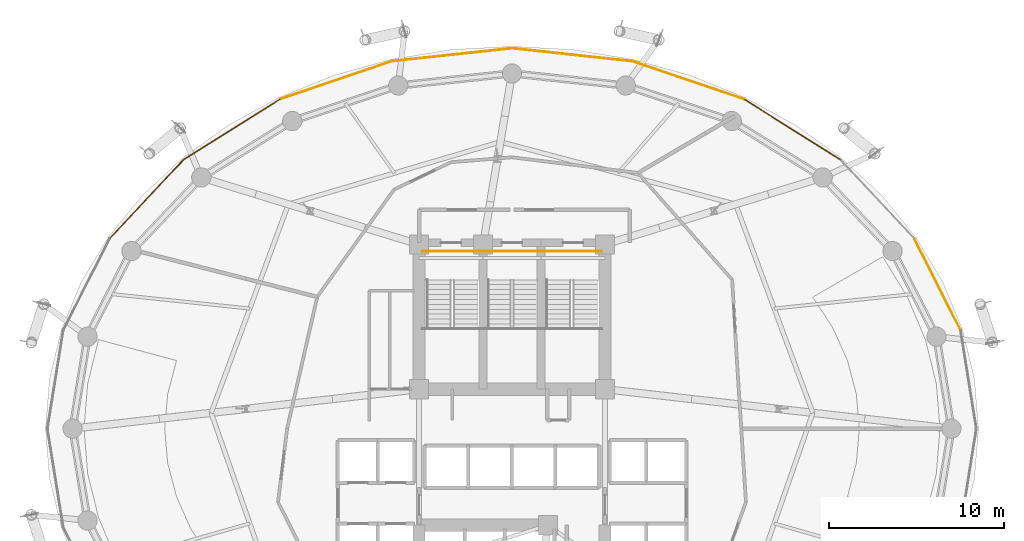
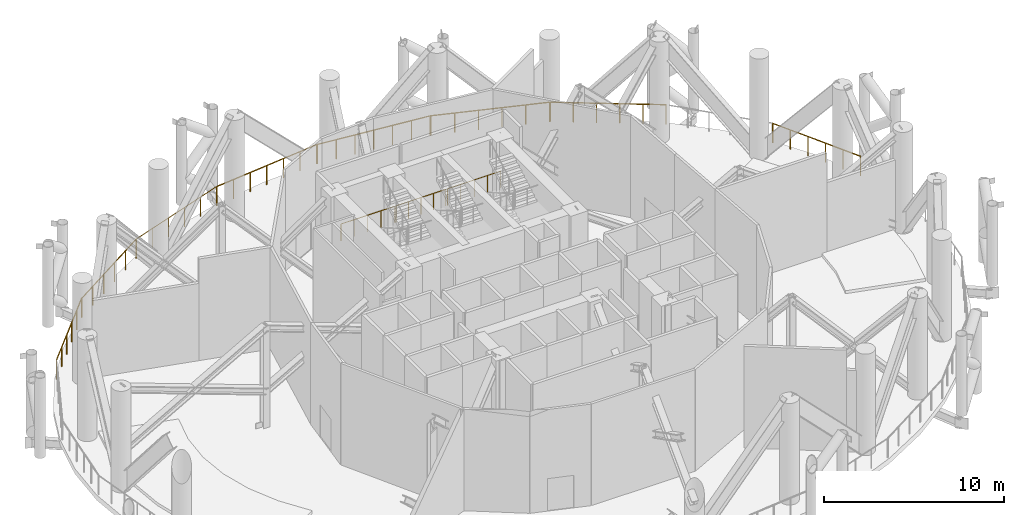
# One storey, part 18 of 19: 11 railings.
"""IFC4 building model written with IfcOpenShell, lengths in metres."""

import ifcopenshell
import ifcopenshell.guid

model = None  # the IFC model being written
_history = None  # IfcOwnerHistory: only IFC2X3 demands one
_inside = {}  # id of a spatial element -> (the spatial element, [elements in it])
_under = {}  # id of a project, library or spatial element -> (it, [spatial elements below it])
_declared = {}  # id of a project -> (the project, [libraries it declares])
_typed = {}  # id of a type object -> (the type object, [elements of that type])
_made_of = {}  # id of a material, layer set ... -> (it, [elements and type objects made of it])


def new_model(schema):
    """Start an empty IFC model of exactly this schema.

    Asked for "IFC4X3", IfcOpenShell would pick the latest addendum, in which some entities
    have other attributes; the version numbers below select the first issue.
    IFC2X3 requires an IfcOwnerHistory on every rooted entity: one is made here for all.
    """
    global model, _history
    if schema == "IFC4X3":
        model = ifcopenshell.file(schema_version=(4, 3, 0, 0))
    else:
        model = ifcopenshell.file(schema=schema)
    _inside.clear()
    _under.clear()
    _declared.clear()
    _typed.clear()
    _made_of.clear()
    _history = None
    if model.schema == "IFC2X3":
        org = make("IfcOrganization", Name="unknown")
        user = make(
            "IfcPersonAndOrganization",
            ThePerson=make("IfcPerson", FamilyName="unknown"),
            TheOrganization=org,
        )
        app = make(
            "IfcApplication",
            ApplicationDeveloper=org,
            Version="unknown",
            ApplicationFullName="unknown",
            ApplicationIdentifier="unknown",
        )
        _history = make(
            "IfcOwnerHistory",
            OwningUser=user,
            OwningApplication=app,
            ChangeAction="ADDED",
            CreationDate=0,
        )
    return model


def make(cls, **values):
    """One entity of the class cls with the attributes given. An attribute that is None is left unset."""
    return model.create_entity(
        cls, **{name: value for name, value in values.items() if value is not None}
    )


def rooted(cls, **values):
    """An entity with a GlobalId (a new one), such as an element, a storey or a relation."""
    return make(cls, GlobalId=ifcopenshell.guid.new(), OwnerHistory=_history, **values)


def si_unit(unit_type, name, prefix=None):
    """IfcSIUnit, for example si_unit("LENGTHUNIT", "METRE", prefix="MILLI")."""
    return make("IfcSIUnit", UnitType=unit_type, Prefix=prefix, Name=name)


def assignment(units):
    """IfcUnitAssignment: the units of a project."""
    return None if units is None else make("IfcUnitAssignment", Units=units)


def point(xyz):
    """IfcCartesianPoint."""
    return None if xyz is None else make("IfcCartesianPoint", Coordinates=xyz)


def direction(xyz):
    """IfcDirection."""
    return None if xyz is None else make("IfcDirection", DirectionRatios=xyz)


def frame(location, z_axis=None, x_axis=None):
    """IfcAxis2Placement3D, a coordinate frame: its origin and axes. An axis left out is left unset."""
    return make(
        "IfcAxis2Placement3D",
        Location=point(location),
        Axis=direction(z_axis),
        RefDirection=direction(x_axis),
    )


def origin():
    """The frame at (0, 0, 0) with its axes left unset."""
    return frame((0.0, 0.0, 0.0))


def place(relative_to, where):
    """IfcLocalPlacement: puts the frame where relative to a parent placement (None: the world)."""
    return make(
        "IfcLocalPlacement", PlacementRelTo=relative_to, RelativePlacement=where
    )


def context(
    kind, dimensions, precision=None, world=None, true_north=None, identifier=None
):
    """IfcGeometricRepresentationContext, for example the 3D "Model" context."""
    return make(
        "IfcGeometricRepresentationContext",
        ContextIdentifier=identifier,
        ContextType=kind,
        CoordinateSpaceDimension=dimensions,
        Precision=precision,
        WorldCoordinateSystem=world,
        TrueNorth=true_north,
    )


def subcontext(parent, identifier, kind, view, scale=None):
    """IfcGeometricRepresentationSubContext, for example "Body" below "Model"."""
    return make(
        "IfcGeometricRepresentationSubContext",
        ContextIdentifier=identifier,
        ContextType=kind,
        ParentContext=parent,
        TargetScale=scale,
        TargetView=view,
    )


def project(units=None, contexts=None):
    """IfcProject with its units and contexts."""
    return rooted(
        "IfcProject",
        Name="project",
        RepresentationContexts=contexts,
        UnitsInContext=assignment(units),
    )


def spatial(cls, under=None, at=None, **own):
    """A site, building, storey or space (cls), placed at a placement, below another one or the project."""
    s = rooted(cls, ObjectPlacement=at, **own)
    if under is not None:
        _under.setdefault(under.id(), (under, []))[1].append(s)
    return s


def polyline(points):
    """IfcPolyline through the points."""
    return make("IfcPolyline", Points=[point(p) for p in points])


def outline(outer, holes=None, kind="AREA"):
    """IfcArbitraryClosedProfileDef: a profile drawn as a closed curve; with holes, ...WithVoids."""
    if holes is None:
        return make("IfcArbitraryClosedProfileDef", ProfileType=kind, OuterCurve=outer)
    return make(
        "IfcArbitraryProfileDefWithVoids",
        ProfileType=kind,
        OuterCurve=outer,
        InnerCurves=holes,
    )


def extrude(swept, where, along, depth):
    """IfcExtrudedAreaSolid: the profile swept, set in the frame where, extruded along a direction by depth."""
    return make(
        "IfcExtrudedAreaSolid",
        SweptArea=swept,
        Position=where,
        ExtrudedDirection=direction(along),
        Depth=depth,
    )


def shape(context_of_items, identifier, shape_type, items):
    """IfcShapeRepresentation: the items that make up one representation, for example the "Body"."""
    return make(
        "IfcShapeRepresentation",
        ContextOfItems=context_of_items,
        RepresentationIdentifier=identifier,
        RepresentationType=shape_type,
        Items=items,
    )


def material(Name=None, Category=None):
    """IfcMaterial."""
    return make("IfcMaterial", Name=Name, Category=Category)


def made_of(thing, what):
    """Note that an element or type object is made of a material, layer set ...; save() writes the relation."""
    if what is not None:
        _made_of.setdefault(what.id(), (what, []))[1].append(thing)
    return thing


def type_object(cls, material=None, **own):
    """A type object (cls), such as IfcWallType, which elements share."""
    return made_of(rooted(cls, **own), material)


def element(
    cls,
    number,
    at=None,
    inside=None,
    cuts=None,
    type_object=None,
    material=None,
    context=None,
    identifier="Body",
    shape_type=None,
    held_by="IfcProductDefinitionShape",
    body=None,
    shapes=None,
    **own,
):
    """One element of the class cls, such as IfcWall. Its Tag is "e" and its number.

    at: its placement. inside: the storey or other place that contains it. cuts: it is an
    opening in that element (IfcRelVoidsElement). A single representation is given by context,
    identifier, shape_type and body (its items); several are given by shapes. held_by: the class
    of the entity that holds the representations. save() writes the other relations.
    """
    e = rooted(cls, Tag="e%d" % number, ObjectPlacement=at, **own)
    if body is not None:
        shapes = [shape(context, identifier, shape_type, body)]
    if shapes is not None:
        e.Representation = make(held_by, Representations=shapes)
    if inside is not None:
        _inside.setdefault(inside.id(), (inside, []))[1].append(e)
    if cuts is not None:
        rooted(
            "IfcRelVoidsElement", RelatingBuildingElement=cuts, RelatedOpeningElement=e
        )
    if type_object is not None:
        _typed.setdefault(type_object.id(), (type_object, []))[1].append(e)
    return made_of(e, material)


def aggregate(whole, parts):
    """IfcRelAggregates: a whole, such as a stair, and the parts it consists of."""
    return rooted("IfcRelAggregates", RelatingObject=whole, RelatedObjects=parts)


def save(model, path):
    """Write the relations noted so far, then the file.

    IfcRelAggregates (storeys below a building ...), IfcRelContainedInSpatialStructure (elements
    in a storey), IfcRelDefinesByType, IfcRelAssociatesMaterial and IfcRelDeclares: one each for
    every whole, place, type object, material and project.
    """
    for whole, parts in _under.values():
        aggregate(whole, parts)
    for where, things in _inside.values():
        rooted(
            "IfcRelContainedInSpatialStructure",
            RelatedElements=things,
            RelatingStructure=where,
        )
    for kind, things in _typed.values():
        rooted("IfcRelDefinesByType", RelatedObjects=things, RelatingType=kind)
    for what, things in _made_of.values():
        rooted("IfcRelAssociatesMaterial", RelatedObjects=things, RelatingMaterial=what)
    for by, libraries in _declared.values():
        rooted("IfcRelDeclares", RelatingContext=by, RelatedDefinitions=libraries)
    model.write(path)


model = new_model("IFC4")

# Units and contexts
model_context = context("Model", 3, precision=1e-05, world=origin(), true_north=direction((0.0, 1.0)))
body_context = subcontext(model_context, "Body", "Model", "MODEL_VIEW")
ifc_project = project(units=[si_unit("LENGTHUNIT", "METRE"), si_unit("AREAUNIT", "SQUARE_METRE"), si_unit("VOLUMEUNIT", "CUBIC_METRE"), si_unit("PLANEANGLEUNIT", "RADIAN"), si_unit("MASSUNIT", "GRAM", prefix="KILO")], contexts=[model_context])

# Site, building, storey
site_placement = place(None, origin())
site = spatial("IfcSite", under=ifc_project, at=site_placement, CompositionType="ELEMENT")
building_placement = place(site_placement, origin())
building = spatial("IfcBuilding", under=site, at=building_placement, Name="Nuhasar Tower", CompositionType="ELEMENT")
storey_placement = place(building_placement, frame((0.0, 0.0, 106.050048828125)))
storey = spatial("IfcBuildingStorey", under=building, at=storey_placement, Name="L25", CompositionType="ELEMENT", Elevation=106.050048828125)

# Railings
ifc_material_1 = material(Name="Steel S355", Category="steel")
railing_type_1 = type_object("IfcRailingType", Name="RLG-STAIR-GUARD-1150", PredefinedType="GUARDRAIL", material=ifc_material_1)
railing_1_placement = place(storey_placement, frame((33.8798828125, 36.909912109375, 3.599853515625)))
element("IfcRailing", 1, at=railing_1_placement, inside=storey, type_object=railing_type_1, Name="L25 Stair ST-01 Guardrail LNDN1", PredefinedType="GUARDRAIL", context=body_context, shape_type="SweptSolid", body=[
    extrude(outline(polyline([(0.024169921875, 0.0), (0.01708984375, 0.01708984375), (0.0, 0.024169921875), (-0.01708984375, 0.01708984375), (-0.024169921875, 0.0), (-0.01708984375, -0.01708984375), (0.0, -0.024169921875), (0.01708984375, -0.01708984375), (0.024169921875, 0.0)])), frame((0.0, 0.0, 1.1259765625), z_axis=(1.0, 0.0, 0.0), x_axis=(0.0, 1.0, 0.0)), (0.0, 0.0, 1.0), 3.420166015625),
    extrude(outline(polyline([(0.02099609375, 0.0), (0.014892578125, 0.014892578125), (0.0, 0.02099609375), (-0.014892578125, 0.014892578125), (-0.02099609375, 0.0), (-0.014892578125, -0.014892578125), (0.0, -0.02099609375), (0.014892578125, -0.014892578125), (0.02099609375, 0.0)])), origin(), (0.0, 0.0, 1.0), 1.101806640625),
    extrude(outline(polyline([(0.02099609375, 0.0), (0.014892578125, 0.014892578125), (0.0, 0.02099609375), (-0.014892578125, 0.014892578125), (-0.02099609375, 0.0), (-0.014892578125, -0.014892578125), (0.0, -0.02099609375), (0.014892578125, -0.014892578125), (0.02099609375, 0.0)])), frame((0.85498046875, 0.0, 0.0)), (0.0, 0.0, 1.0), 1.101806640625),
    extrude(outline(polyline([(0.02099609375, 0.0), (0.014892578125, 0.014892578125), (0.0, 0.02099609375), (-0.014892578125, 0.014892578125), (-0.02099609375, 0.0), (-0.014892578125, -0.014892578125), (0.0, -0.02099609375), (0.014892578125, -0.014892578125), (0.02099609375, 0.0)])), frame((1.7099609375, 0.0, 0.0)), (0.0, 0.0, 1.0), 1.101806640625),
    extrude(outline(polyline([(0.02099609375, 0.0), (0.014892578125, 0.014892578125), (0.0, 0.02099609375), (-0.014892578125, 0.014892578125), (-0.02099609375, 0.0), (-0.014892578125, -0.014892578125), (0.0, -0.02099609375), (0.014892578125, -0.014892578125), (0.02099609375, 0.0)])), frame((2.565185546875, 0.0, 0.0)), (0.0, 0.0, 1.0), 1.101806640625),
    extrude(outline(polyline([(0.02099609375, 0.0), (0.014892578125, 0.014892578125), (0.0, 0.02099609375), (-0.014892578125, 0.014892578125), (-0.02099609375, 0.0), (-0.014892578125, -0.014892578125), (0.0, -0.02099609375), (0.014892578125, -0.014892578125), (0.02099609375, 0.0)])), frame((3.420166015625, 0.0, 0.0)), (0.0, 0.0, 1.0), 1.101806640625),
])
railing_2_placement = place(storey_placement, frame((37.39990234375, 36.909912109375, 3.599853515625)))
element("IfcRailing", 2, at=railing_2_placement, inside=storey, type_object=railing_type_1, Name="L25 Stair ST-03 Guardrail LNDN1", PredefinedType="GUARDRAIL", context=body_context, shape_type="SweptSolid", body=[
    extrude(outline(polyline([(0.024169921875, 0.0), (0.01708984375, 0.01708984375), (0.0, 0.024169921875), (-0.01708984375, 0.01708984375), (-0.024169921875, 0.0), (-0.01708984375, -0.01708984375), (0.0, -0.024169921875), (0.01708984375, -0.01708984375), (0.024169921875, 0.0)])), frame((0.0, 0.0, 1.1259765625), z_axis=(1.0, 0.0, 0.0), x_axis=(0.0, 1.0, 0.0)), (0.0, 0.0, 1.0), 3.2001953125),
    extrude(outline(polyline([(0.02099609375, 0.0), (0.014892578125, 0.014892578125), (0.0, 0.02099609375), (-0.014892578125, 0.014892578125), (-0.02099609375, 0.0), (-0.014892578125, -0.014892578125), (0.0, -0.02099609375), (0.014892578125, -0.014892578125), (0.02099609375, 0.0)])), origin(), (0.0, 0.0, 1.0), 1.101806640625),
    extrude(outline(polyline([(0.02099609375, 0.0), (0.014892578125, 0.014892578125), (0.0, 0.02099609375), (-0.014892578125, 0.014892578125), (-0.02099609375, 0.0), (-0.014892578125, -0.014892578125), (0.0, -0.02099609375), (0.014892578125, -0.014892578125), (0.02099609375, 0.0)])), frame((0.800048828125, 0.0, 0.0)), (0.0, 0.0, 1.0), 1.101806640625),
    extrude(outline(polyline([(0.02099609375, 0.0), (0.014892578125, 0.014892578125), (0.0, 0.02099609375), (-0.014892578125, 0.014892578125), (-0.02099609375, 0.0), (-0.014892578125, -0.014892578125), (0.0, -0.02099609375), (0.014892578125, -0.014892578125), (0.02099609375, 0.0)])), frame((1.60009765625, 0.0, 0.0)), (0.0, 0.0, 1.0), 1.101806640625),
    extrude(outline(polyline([(0.02099609375, 0.0), (0.014892578125, 0.014892578125), (0.0, 0.02099609375), (-0.014892578125, 0.014892578125), (-0.02099609375, 0.0), (-0.014892578125, -0.014892578125), (0.0, -0.02099609375), (0.014892578125, -0.014892578125), (0.02099609375, 0.0)])), frame((2.400146484375, 0.0, 0.0)), (0.0, 0.0, 1.0), 1.101806640625),
    extrude(outline(polyline([(0.02099609375, 0.0), (0.014892578125, 0.014892578125), (0.0, 0.02099609375), (-0.014892578125, 0.014892578125), (-0.02099609375, 0.0), (-0.014892578125, -0.014892578125), (0.0, -0.02099609375), (0.014892578125, -0.014892578125), (0.02099609375, 0.0)])), frame((3.2001953125, 0.0, 0.0)), (0.0, 0.0, 1.0), 1.101806640625),
])
railing_3_placement = place(storey_placement, frame((40.699951171875, 36.909912109375, 3.599853515625)))
element("IfcRailing", 3, at=railing_3_placement, inside=storey, type_object=railing_type_1, Name="L25 Stair ST-02 Guardrail LNDN1", PredefinedType="GUARDRAIL", context=body_context, shape_type="SweptSolid", body=[
    extrude(outline(polyline([(0.024169921875, 0.0), (0.01708984375, 0.01708984375), (0.0, 0.024169921875), (-0.01708984375, 0.01708984375), (-0.024169921875, 0.0), (-0.01708984375, -0.01708984375), (0.0, -0.024169921875), (0.01708984375, -0.01708984375), (0.024169921875, 0.0)])), frame((0.0, 0.0, 1.1259765625), z_axis=(1.0, 0.0, 0.0), x_axis=(0.0, 1.0, 0.0)), (0.0, 0.0, 1.0), 3.420166015625),
    extrude(outline(polyline([(0.02099609375, 0.0), (0.014892578125, 0.014892578125), (0.0, 0.02099609375), (-0.014892578125, 0.014892578125), (-0.02099609375, 0.0), (-0.014892578125, -0.014892578125), (0.0, -0.02099609375), (0.014892578125, -0.014892578125), (0.02099609375, 0.0)])), origin(), (0.0, 0.0, 1.0), 1.101806640625),
    extrude(outline(polyline([(0.02099609375, 0.0), (0.014892578125, 0.014892578125), (0.0, 0.02099609375), (-0.014892578125, 0.014892578125), (-0.02099609375, 0.0), (-0.014892578125, -0.014892578125), (0.0, -0.02099609375), (0.014892578125, -0.014892578125), (0.02099609375, 0.0)])), frame((0.85498046875, 0.0, 0.0)), (0.0, 0.0, 1.0), 1.101806640625),
    extrude(outline(polyline([(0.02099609375, 0.0), (0.014892578125, 0.014892578125), (0.0, 0.02099609375), (-0.014892578125, 0.014892578125), (-0.02099609375, 0.0), (-0.014892578125, -0.014892578125), (0.0, -0.02099609375), (0.014892578125, -0.014892578125), (0.02099609375, 0.0)])), frame((1.7099609375, 0.0, 0.0)), (0.0, 0.0, 1.0), 1.101806640625),
    extrude(outline(polyline([(0.02099609375, 0.0), (0.014892578125, 0.014892578125), (0.0, 0.02099609375), (-0.014892578125, 0.014892578125), (-0.02099609375, 0.0), (-0.014892578125, -0.014892578125), (0.0, -0.02099609375), (0.014892578125, -0.014892578125), (0.02099609375, 0.0)])), frame((2.565185546875, 0.0, 0.0)), (0.0, 0.0, 1.0), 1.101806640625),
    extrude(outline(polyline([(0.02099609375, 0.0), (0.014892578125, 0.014892578125), (0.0, 0.02099609375), (-0.014892578125, 0.014892578125), (-0.02099609375, 0.0), (-0.014892578125, -0.014892578125), (0.0, -0.02099609375), (0.014892578125, -0.014892578125), (0.02099609375, 0.0)])), frame((3.420166015625, 0.0, 0.0)), (0.0, 0.0, 1.0), 1.101806640625),
])
ifc_material_2 = material(Name="Stainless Steel 316L", Category="steel")
railing_type_2 = type_object("IfcRailingType", Name="RLG-WIND-1320", PredefinedType="GUARDRAIL", material=ifc_material_2)
railing_4_placement = place(storey_placement, frame((64.577880859375, 32.410888671875, 0.0)))
element("IfcRailing", 4, at=railing_4_placement, inside=storey, type_object=railing_type_2, Name="L25 Open Wind Floor Perimeter Guardrail 02", PredefinedType="GUARDRAIL", context=body_context, shape_type="SweptSolid", body=[
    extrude(outline(polyline([(0.024169921875, 0.0), (0.01708984375, 0.01708984375), (0.0, 0.024169921875), (-0.01708984375, 0.01708984375), (-0.024169921875, 0.0), (-0.01708984375, -0.01708984375), (0.0, -0.024169921875), (0.01708984375, -0.01708984375), (0.024169921875, 0.0)])), frame((0.0, 0.0, 1.2958984375), z_axis=(-0.451520578965, 0.892260705608, 0.0), x_axis=(-0.892260705608, -0.451520578965, 0.0)), (0.0, 0.0, 1.0), 5.820068359375),
    extrude(outline(polyline([(0.02099609375, 0.0), (0.014892578125, 0.014892578125), (0.0, 0.02099609375), (-0.014892578125, 0.014892578125), (-0.02099609375, 0.0), (-0.014892578125, -0.014892578125), (0.0, -0.02099609375), (0.014892578125, -0.014892578125), (0.02099609375, 0.0)])), origin(), (0.0, 0.0, 1.0), 1.27197265625),
    extrude(outline(polyline([(0.02099609375, 0.0), (0.014892578125, 0.014892578125), (0.0, 0.02099609375), (-0.014892578125, 0.014892578125), (-0.02099609375, 0.0), (-0.014892578125, -0.014892578125), (0.0, -0.02099609375), (0.014892578125, -0.014892578125), (0.02099609375, 0.0)])), frame((-0.525634765625, 1.03857421875, 0.0)), (0.0, 0.0, 1.0), 1.27197265625),
    extrude(outline(polyline([(0.02099609375, 0.0), (0.014892578125, 0.014892578125), (0.0, 0.02099609375), (-0.014892578125, 0.014892578125), (-0.02099609375, 0.0), (-0.014892578125, -0.014892578125), (0.0, -0.02099609375), (0.014892578125, -0.014892578125), (0.02099609375, 0.0)])), frame((-1.05126953125, 2.0771484375, 0.0)), (0.0, 0.0, 1.0), 1.27197265625),
    extrude(outline(polyline([(0.02099609375, 0.0), (0.014892578125, 0.014892578125), (0.0, 0.02099609375), (-0.014892578125, 0.014892578125), (-0.02099609375, 0.0), (-0.014892578125, -0.014892578125), (0.0, -0.02099609375), (0.014892578125, -0.014892578125), (0.02099609375, 0.0)])), frame((-1.57666015625, 3.115966796875, 0.0)), (0.0, 0.0, 1.0), 1.27197265625),
    extrude(outline(polyline([(0.02099609375, 0.0), (0.014892578125, 0.014892578125), (0.0, 0.02099609375), (-0.014892578125, 0.014892578125), (-0.02099609375, 0.0), (-0.014892578125, -0.014892578125), (0.0, -0.02099609375), (0.014892578125, -0.014892578125), (0.02099609375, 0.0)])), frame((-2.102294921875, 4.154541015625, 0.0)), (0.0, 0.0, 1.0), 1.27197265625),
    extrude(outline(polyline([(0.02099609375, 0.0), (0.014892578125, 0.014892578125), (0.0, 0.02099609375), (-0.014892578125, 0.014892578125), (-0.02099609375, 0.0), (-0.014892578125, -0.014892578125), (0.0, -0.02099609375), (0.014892578125, -0.014892578125), (0.02099609375, 0.0)])), frame((-2.6279296875, 5.193115234375, 0.0)), (0.0, 0.0, 1.0), 1.27197265625),
])
railing_5_placement = place(storey_placement, frame((57.72412109375, 42.1298828125, 0.0)))
element("IfcRailing", 5, at=railing_5_placement, inside=storey, type_object=railing_type_2, Name="L25 Open Wind Floor Perimeter Guardrail 04", PredefinedType="GUARDRAIL", context=body_context, shape_type="SweptSolid", body=[
    extrude(outline(polyline([(0.024169921875, 0.0), (0.01708984375, 0.01708984375), (0.0, 0.024169921875), (-0.01708984375, 0.01708984375), (-0.024169921875, 0.0), (-0.01708984375, -0.01708984375), (0.0, -0.024169921875), (0.01708984375, -0.01708984375), (0.024169921875, 0.0)])), frame((0.0, 0.0, 1.2958984375), z_axis=(-0.84676006125, 0.531974998165, 0.0), x_axis=(-0.531974998165, -0.84676006125, 0.0)), (0.0, 0.0, 1.0), 6.4365234375),
    extrude(outline(polyline([(0.02099609375, 0.0), (0.014892578125, 0.014892578125), (0.0, 0.02099609375), (-0.014892578125, 0.014892578125), (-0.02099609375, 0.0), (-0.014892578125, -0.014892578125), (0.0, -0.02099609375), (0.014892578125, -0.014892578125), (0.02099609375, 0.0)])), origin(), (0.0, 0.0, 1.0), 1.27197265625),
    extrude(outline(polyline([(0.02099609375, 0.0), (0.014892578125, 0.014892578125), (0.0, 0.02099609375), (-0.014892578125, 0.014892578125), (-0.02099609375, 0.0), (-0.014892578125, -0.014892578125), (0.0, -0.02099609375), (0.014892578125, -0.014892578125), (0.02099609375, 0.0)])), frame((-1.090087890625, 0.684814453125, 0.0)), (0.0, 0.0, 1.0), 1.27197265625),
    extrude(outline(polyline([(0.02099609375, 0.0), (0.014892578125, 0.014892578125), (0.0, 0.02099609375), (-0.014892578125, 0.014892578125), (-0.02099609375, 0.0), (-0.014892578125, -0.014892578125), (0.0, -0.02099609375), (0.014892578125, -0.014892578125), (0.02099609375, 0.0)])), frame((-2.18017578125, 1.36962890625, 0.0)), (0.0, 0.0, 1.0), 1.27197265625),
    extrude(outline(polyline([(0.02099609375, 0.0), (0.014892578125, 0.014892578125), (0.0, 0.02099609375), (-0.014892578125, 0.014892578125), (-0.02099609375, 0.0), (-0.014892578125, -0.014892578125), (0.0, -0.02099609375), (0.014892578125, -0.014892578125), (0.02099609375, 0.0)])), frame((-3.27001953125, 2.054443359375, 0.0)), (0.0, 0.0, 1.0), 1.27197265625),
    extrude(outline(polyline([(0.02099609375, 0.0), (0.014892578125, 0.014892578125), (0.0, 0.02099609375), (-0.014892578125, 0.014892578125), (-0.02099609375, 0.0), (-0.014892578125, -0.014892578125), (0.0, -0.02099609375), (0.014892578125, -0.014892578125), (0.02099609375, 0.0)])), frame((-4.360107421875, 2.7392578125, 0.0)), (0.0, 0.0, 1.0), 1.27197265625),
    extrude(outline(polyline([(0.02099609375, 0.0), (0.014892578125, 0.014892578125), (0.0, 0.02099609375), (-0.014892578125, 0.014892578125), (-0.02099609375, 0.0), (-0.014892578125, -0.014892578125), (0.0, -0.02099609375), (0.014892578125, -0.014892578125), (0.02099609375, 0.0)])), frame((-5.4501953125, 3.424072265625, 0.0)), (0.0, 0.0, 1.0), 1.27197265625),
])
railing_6_placement = place(storey_placement, frame((52.239990234375, 45.574951171875, 0.0)))
element("IfcRailing", 6, at=railing_6_placement, inside=storey, type_object=railing_type_2, Name="L25 Open Wind Floor Perimeter Guardrail 05", PredefinedType="GUARDRAIL", context=body_context, shape_type="SweptSolid", body=[
    extrude(outline(polyline([(0.024169921875, 0.0), (0.01708984375, 0.01708984375), (0.0, 0.024169921875), (-0.01708984375, 0.01708984375), (-0.024169921875, 0.0), (-0.01708984375, -0.01708984375), (0.0, -0.024169921875), (0.01708984375, -0.01708984375), (0.024169921875, 0.0)])), frame((0.0, 0.0, 1.2958984375), z_axis=(-0.947009368833, 0.321205939146, 0.0), x_axis=(-0.321205939146, -0.947009368833, 0.0)), (0.0, 0.0, 1.0), 6.703125),
    extrude(outline(polyline([(0.02099609375, 0.0), (0.014892578125, 0.014892578125), (0.0, 0.02099609375), (-0.014892578125, 0.014892578125), (-0.02099609375, 0.0), (-0.014892578125, -0.014892578125), (0.0, -0.02099609375), (0.014892578125, -0.014892578125), (0.02099609375, 0.0)])), origin(), (0.0, 0.0, 1.0), 1.27197265625),
    extrude(outline(polyline([(0.02099609375, 0.0), (0.014892578125, 0.014892578125), (0.0, 0.02099609375), (-0.014892578125, 0.014892578125), (-0.02099609375, 0.0), (-0.014892578125, -0.014892578125), (0.0, -0.02099609375), (0.014892578125, -0.014892578125), (0.02099609375, 0.0)])), frame((-1.26953125, 0.4306640625, 0.0)), (0.0, 0.0, 1.0), 1.27197265625),
    extrude(outline(polyline([(0.02099609375, 0.0), (0.014892578125, 0.014892578125), (0.0, 0.02099609375), (-0.014892578125, 0.014892578125), (-0.02099609375, 0.0), (-0.014892578125, -0.014892578125), (0.0, -0.02099609375), (0.014892578125, -0.014892578125), (0.02099609375, 0.0)])), frame((-2.5390625, 0.861328125, 0.0)), (0.0, 0.0, 1.0), 1.27197265625),
    extrude(outline(polyline([(0.02099609375, 0.0), (0.014892578125, 0.014892578125), (0.0, 0.02099609375), (-0.014892578125, 0.014892578125), (-0.02099609375, 0.0), (-0.014892578125, -0.014892578125), (0.0, -0.02099609375), (0.014892578125, -0.014892578125), (0.02099609375, 0.0)])), frame((-3.808837890625, 1.291748046875, 0.0)), (0.0, 0.0, 1.0), 1.27197265625),
    extrude(outline(polyline([(0.02099609375, 0.0), (0.014892578125, 0.014892578125), (0.0, 0.02099609375), (-0.014892578125, 0.014892578125), (-0.02099609375, 0.0), (-0.014892578125, -0.014892578125), (0.0, -0.02099609375), (0.014892578125, -0.014892578125), (0.02099609375, 0.0)])), frame((-5.078369140625, 1.722412109375, 0.0)), (0.0, 0.0, 1.0), 1.27197265625),
    extrude(outline(polyline([(0.02099609375, 0.0), (0.014892578125, 0.014892578125), (0.0, 0.02099609375), (-0.014892578125, 0.014892578125), (-0.02099609375, 0.0), (-0.014892578125, -0.014892578125), (0.0, -0.02099609375), (0.014892578125, -0.014892578125), (0.02099609375, 0.0)])), frame((-6.347900390625, 2.153076171875, 0.0)), (0.0, 0.0, 1.0), 1.27197265625),
])
railing_7_placement = place(storey_placement, frame((45.85400390625, 47.740966796875, 0.0)))
element("IfcRailing", 7, at=railing_7_placement, inside=storey, type_object=railing_type_2, Name="L25 Open Wind Floor Perimeter Guardrail 06", PredefinedType="GUARDRAIL", context=body_context, shape_type="SweptSolid", body=[
    extrude(outline(polyline([(0.024169921875, 0.0), (0.01708984375, 0.01708984375), (0.0, 0.024169921875), (-0.01708984375, 0.01708984375), (-0.024169921875, 0.0), (-0.01708984375, -0.01708984375), (0.0, -0.024169921875), (0.01708984375, -0.01708984375), (0.024169921875, 0.0)])), frame((0.0, 0.0, 1.2958984375), z_axis=(-0.99423099425, 0.107260104754, 0.0), x_axis=(-0.107260104754, -0.99423099425, 0.0)), (0.0, 0.0, 1.0), 6.853515625),
    extrude(outline(polyline([(0.02099609375, 0.0), (0.014892578125, 0.014892578125), (0.0, 0.02099609375), (-0.014892578125, 0.014892578125), (-0.02099609375, 0.0), (-0.014892578125, -0.014892578125), (0.0, -0.02099609375), (0.014892578125, -0.014892578125), (0.02099609375, 0.0)])), origin(), (0.0, 0.0, 1.0), 1.27197265625),
    extrude(outline(polyline([(0.02099609375, 0.0), (0.014892578125, 0.014892578125), (0.0, 0.02099609375), (-0.014892578125, 0.014892578125), (-0.02099609375, 0.0), (-0.014892578125, -0.014892578125), (0.0, -0.02099609375), (0.014892578125, -0.014892578125), (0.02099609375, 0.0)])), frame((-1.1357421875, 0.12255859375, 0.0)), (0.0, 0.0, 1.0), 1.27197265625),
    extrude(outline(polyline([(0.02099609375, 0.0), (0.014892578125, 0.014892578125), (0.0, 0.02099609375), (-0.014892578125, 0.014892578125), (-0.02099609375, 0.0), (-0.014892578125, -0.014892578125), (0.0, -0.02099609375), (0.014892578125, -0.014892578125), (0.02099609375, 0.0)])), frame((-2.271240234375, 0.2451171875, 0.0)), (0.0, 0.0, 1.0), 1.27197265625),
    extrude(outline(polyline([(0.02099609375, 0.0), (0.014892578125, 0.014892578125), (0.0, 0.02099609375), (-0.014892578125, 0.014892578125), (-0.02099609375, 0.0), (-0.014892578125, -0.014892578125), (0.0, -0.02099609375), (0.014892578125, -0.014892578125), (0.02099609375, 0.0)])), frame((-3.406982421875, 0.36767578125, 0.0)), (0.0, 0.0, 1.0), 1.27197265625),
    extrude(outline(polyline([(0.02099609375, 0.0), (0.014892578125, 0.014892578125), (0.0, 0.02099609375), (-0.014892578125, 0.014892578125), (-0.02099609375, 0.0), (-0.014892578125, -0.014892578125), (0.0, -0.02099609375), (0.014892578125, -0.014892578125), (0.02099609375, 0.0)])), frame((-4.542724609375, 0.489990234375, 0.0)), (0.0, 0.0, 1.0), 1.27197265625),
    extrude(outline(polyline([(0.02099609375, 0.0), (0.014892578125, 0.014892578125), (0.0, 0.02099609375), (-0.014892578125, 0.014892578125), (-0.02099609375, 0.0), (-0.014892578125, -0.014892578125), (0.0, -0.02099609375), (0.014892578125, -0.014892578125), (0.02099609375, 0.0)])), frame((-5.67822265625, 0.612548828125, 0.0)), (0.0, 0.0, 1.0), 1.27197265625),
    extrude(outline(polyline([(0.02099609375, 0.0), (0.014892578125, 0.014892578125), (0.0, 0.02099609375), (-0.014892578125, 0.014892578125), (-0.02099609375, 0.0), (-0.014892578125, -0.014892578125), (0.0, -0.02099609375), (0.014892578125, -0.014892578125), (0.02099609375, 0.0)])), frame((-6.81396484375, 0.735107421875, 0.0)), (0.0, 0.0, 1.0), 1.27197265625),
])
railing_8_placement = place(storey_placement, frame((39.0, 48.47998046875, 0.0)))
element("IfcRailing", 8, at=railing_8_placement, inside=storey, type_object=railing_type_2, Name="L25 Open Wind Floor Perimeter Guardrail 07", PredefinedType="GUARDRAIL", context=body_context, shape_type="SweptSolid", body=[
    extrude(outline(polyline([(0.024169921875, 0.0), (0.01708984375, 0.01708984375), (0.0, 0.024169921875), (-0.01708984375, 0.01708984375), (-0.024169921875, 0.0), (-0.01708984375, -0.01708984375), (0.0, -0.024169921875), (0.01708984375, -0.01708984375), (0.024169921875, 0.0)])), frame((0.0, 0.0, 1.2958984375), z_axis=(-0.994234792499, -0.107224891631, 0.0), x_axis=(0.107224891631, -0.994234792499, 0.0)), (0.0, 0.0, 1.0), 6.853515625),
    extrude(outline(polyline([(0.02099609375, 0.0), (0.014892578125, 0.014892578125), (0.0, 0.02099609375), (-0.014892578125, 0.014892578125), (-0.02099609375, 0.0), (-0.014892578125, -0.014892578125), (0.0, -0.02099609375), (0.014892578125, -0.014892578125), (0.02099609375, 0.0)])), origin(), (0.0, 0.0, 1.0), 1.27197265625),
    extrude(outline(polyline([(0.02099609375, 0.0), (0.014892578125, 0.014892578125), (0.0, 0.02099609375), (-0.014892578125, 0.014892578125), (-0.02099609375, 0.0), (-0.014892578125, -0.014892578125), (0.0, -0.02099609375), (0.014892578125, -0.014892578125), (0.02099609375, 0.0)])), frame((-1.1357421875, -0.12255859375, 0.0)), (0.0, 0.0, 1.0), 1.27197265625),
    extrude(outline(polyline([(0.02099609375, 0.0), (0.014892578125, 0.014892578125), (0.0, 0.02099609375), (-0.014892578125, 0.014892578125), (-0.02099609375, 0.0), (-0.014892578125, -0.014892578125), (0.0, -0.02099609375), (0.014892578125, -0.014892578125), (0.02099609375, 0.0)])), frame((-2.271240234375, -0.244873046875, 0.0)), (0.0, 0.0, 1.0), 1.27197265625),
    extrude(outline(polyline([(0.02099609375, 0.0), (0.014892578125, 0.014892578125), (0.0, 0.02099609375), (-0.014892578125, 0.014892578125), (-0.02099609375, 0.0), (-0.014892578125, -0.014892578125), (0.0, -0.02099609375), (0.014892578125, -0.014892578125), (0.02099609375, 0.0)])), frame((-3.406982421875, -0.367431640625, 0.0)), (0.0, 0.0, 1.0), 1.27197265625),
    extrude(outline(polyline([(0.02099609375, 0.0), (0.014892578125, 0.014892578125), (0.0, 0.02099609375), (-0.014892578125, 0.014892578125), (-0.02099609375, 0.0), (-0.014892578125, -0.014892578125), (0.0, -0.02099609375), (0.014892578125, -0.014892578125), (0.02099609375, 0.0)])), frame((-4.542724609375, -0.489990234375, 0.0)), (0.0, 0.0, 1.0), 1.27197265625),
    extrude(outline(polyline([(0.02099609375, 0.0), (0.014892578125, 0.014892578125), (0.0, 0.02099609375), (-0.014892578125, 0.014892578125), (-0.02099609375, 0.0), (-0.014892578125, -0.014892578125), (0.0, -0.02099609375), (0.014892578125, -0.014892578125), (0.02099609375, 0.0)])), frame((-5.67822265625, -0.6123046875, 0.0)), (0.0, 0.0, 1.0), 1.27197265625),
    extrude(outline(polyline([(0.02099609375, 0.0), (0.014892578125, 0.014892578125), (0.0, 0.02099609375), (-0.014892578125, 0.014892578125), (-0.02099609375, 0.0), (-0.014892578125, -0.014892578125), (0.0, -0.02099609375), (0.014892578125, -0.014892578125), (0.02099609375, 0.0)])), frame((-6.81396484375, -0.73486328125, 0.0)), (0.0, 0.0, 1.0), 1.27197265625),
])
railing_9_placement = place(storey_placement, frame((32.14599609375, 47.740966796875, 0.0)))
element("IfcRailing", 9, at=railing_9_placement, inside=storey, type_object=railing_type_2, Name="L25 Open Wind Floor Perimeter Guardrail 08", PredefinedType="GUARDRAIL", context=body_context, shape_type="SweptSolid", body=[
    extrude(outline(polyline([(0.024169921875, 0.0), (0.01708984375, 0.01708984375), (0.0, 0.024169921875), (-0.01708984375, 0.01708984375), (-0.024169921875, 0.0), (-0.01708984375, -0.01708984375), (0.0, -0.024169921875), (0.01708984375, -0.01708984375), (0.024169921875, 0.0)])), frame((0.0, 0.0, 1.2958984375), z_axis=(-0.947009368833, -0.321205939146, 0.0), x_axis=(0.321205939146, -0.947009368833, 0.0)), (0.0, 0.0, 1.0), 6.703125),
    extrude(outline(polyline([(0.02099609375, 0.0), (0.014892578125, 0.014892578125), (0.0, 0.02099609375), (-0.014892578125, 0.014892578125), (-0.02099609375, 0.0), (-0.014892578125, -0.014892578125), (0.0, -0.02099609375), (0.014892578125, -0.014892578125), (0.02099609375, 0.0)])), origin(), (0.0, 0.0, 1.0), 1.27197265625),
    extrude(outline(polyline([(0.02099609375, 0.0), (0.014892578125, 0.014892578125), (0.0, 0.02099609375), (-0.014892578125, 0.014892578125), (-0.02099609375, 0.0), (-0.014892578125, -0.014892578125), (0.0, -0.02099609375), (0.014892578125, -0.014892578125), (0.02099609375, 0.0)])), frame((-1.26953125, -0.4306640625, 0.0)), (0.0, 0.0, 1.0), 1.27197265625),
    extrude(outline(polyline([(0.02099609375, 0.0), (0.014892578125, 0.014892578125), (0.0, 0.02099609375), (-0.014892578125, 0.014892578125), (-0.02099609375, 0.0), (-0.014892578125, -0.014892578125), (0.0, -0.02099609375), (0.014892578125, -0.014892578125), (0.02099609375, 0.0)])), frame((-2.5390625, -0.861328125, 0.0)), (0.0, 0.0, 1.0), 1.27197265625),
    extrude(outline(polyline([(0.02099609375, 0.0), (0.014892578125, 0.014892578125), (0.0, 0.02099609375), (-0.014892578125, 0.014892578125), (-0.02099609375, 0.0), (-0.014892578125, -0.014892578125), (0.0, -0.02099609375), (0.014892578125, -0.014892578125), (0.02099609375, 0.0)])), frame((-3.808837890625, -1.291748046875, 0.0)), (0.0, 0.0, 1.0), 1.27197265625),
    extrude(outline(polyline([(0.02099609375, 0.0), (0.014892578125, 0.014892578125), (0.0, 0.02099609375), (-0.014892578125, 0.014892578125), (-0.02099609375, 0.0), (-0.014892578125, -0.014892578125), (0.0, -0.02099609375), (0.014892578125, -0.014892578125), (0.02099609375, 0.0)])), frame((-5.078369140625, -1.722412109375, 0.0)), (0.0, 0.0, 1.0), 1.27197265625),
    extrude(outline(polyline([(0.02099609375, 0.0), (0.014892578125, 0.014892578125), (0.0, 0.02099609375), (-0.014892578125, 0.014892578125), (-0.02099609375, 0.0), (-0.014892578125, -0.014892578125), (0.0, -0.02099609375), (0.014892578125, -0.014892578125), (0.02099609375, 0.0)])), frame((-6.347900390625, -2.153076171875, 0.0)), (0.0, 0.0, 1.0), 1.27197265625),
])
railing_10_placement = place(storey_placement, frame((25.760009765625, 45.574951171875, 0.0)))
element("IfcRailing", 10, at=railing_10_placement, inside=storey, type_object=railing_type_2, Name="L25 Open Wind Floor Perimeter Guardrail 09", PredefinedType="GUARDRAIL", context=body_context, shape_type="SweptSolid", body=[
    extrude(outline(polyline([(0.024169921875, 0.0), (0.01708984375, 0.01708984375), (0.0, 0.024169921875), (-0.01708984375, 0.01708984375), (-0.024169921875, 0.0), (-0.01708984375, -0.01708984375), (0.0, -0.024169921875), (0.01708984375, -0.01708984375), (0.024169921875, 0.0)])), frame((0.0, 0.0, 1.2958984375), z_axis=(-0.846749326505, -0.531992084587, 0.0), x_axis=(0.531992084587, -0.846749326505, 0.0)), (0.0, 0.0, 1.0), 6.436279296875),
    extrude(outline(polyline([(0.02099609375, 0.0), (0.014892578125, 0.014892578125), (0.0, 0.02099609375), (-0.014892578125, 0.014892578125), (-0.02099609375, 0.0), (-0.014892578125, -0.014892578125), (0.0, -0.02099609375), (0.014892578125, -0.014892578125), (0.02099609375, 0.0)])), origin(), (0.0, 0.0, 1.0), 1.27197265625),
    extrude(outline(polyline([(0.02099609375, 0.0), (0.014892578125, 0.014892578125), (0.0, 0.02099609375), (-0.014892578125, 0.014892578125), (-0.02099609375, 0.0), (-0.014892578125, -0.014892578125), (0.0, -0.02099609375), (0.014892578125, -0.014892578125), (0.02099609375, 0.0)])), frame((-1.090087890625, -0.684814453125, 0.0)), (0.0, 0.0, 1.0), 1.27197265625),
    extrude(outline(polyline([(0.02099609375, 0.0), (0.014892578125, 0.014892578125), (0.0, 0.02099609375), (-0.014892578125, 0.014892578125), (-0.02099609375, 0.0), (-0.014892578125, -0.014892578125), (0.0, -0.02099609375), (0.014892578125, -0.014892578125), (0.02099609375, 0.0)])), frame((-2.179931640625, -1.36962890625, 0.0)), (0.0, 0.0, 1.0), 1.27197265625),
    extrude(outline(polyline([(0.02099609375, 0.0), (0.014892578125, 0.014892578125), (0.0, 0.02099609375), (-0.014892578125, 0.014892578125), (-0.02099609375, 0.0), (-0.014892578125, -0.014892578125), (0.0, -0.02099609375), (0.014892578125, -0.014892578125), (0.02099609375, 0.0)])), frame((-3.27001953125, -2.054443359375, 0.0)), (0.0, 0.0, 1.0), 1.27197265625),
    extrude(outline(polyline([(0.02099609375, 0.0), (0.014892578125, 0.014892578125), (0.0, 0.02099609375), (-0.014892578125, 0.014892578125), (-0.02099609375, 0.0), (-0.014892578125, -0.014892578125), (0.0, -0.02099609375), (0.014892578125, -0.014892578125), (0.02099609375, 0.0)])), frame((-4.35986328125, -2.7392578125, 0.0)), (0.0, 0.0, 1.0), 1.27197265625),
    extrude(outline(polyline([(0.02099609375, 0.0), (0.014892578125, 0.014892578125), (0.0, 0.02099609375), (-0.014892578125, 0.014892578125), (-0.02099609375, 0.0), (-0.014892578125, -0.014892578125), (0.0, -0.02099609375), (0.014892578125, -0.014892578125), (0.02099609375, 0.0)])), frame((-5.449951171875, -3.424072265625, 0.0)), (0.0, 0.0, 1.0), 1.27197265625),
])
railing_11_placement = place(storey_placement, frame((20.27587890625, 42.1298828125, 0.0)))
element("IfcRailing", 11, at=railing_11_placement, inside=storey, type_object=railing_type_2, Name="L25 Open Wind Floor Perimeter Guardrail 10", PredefinedType="GUARDRAIL", context=body_context, shape_type="SweptSolid", body=[
    extrude(outline(polyline([(0.024169921875, 0.0), (0.01708984375, 0.01708984375), (0.0, 0.024169921875), (-0.01708984375, 0.01708984375), (-0.024169921875, 0.0), (-0.01708984375, -0.01708984375), (0.0, -0.024169921875), (0.01708984375, -0.01708984375), (0.024169921875, 0.0)])), frame((0.0, 0.0, 1.2958984375), z_axis=(-0.683834857776, -0.729636818761, 0.0), x_axis=(0.729636818761, -0.683834857776, 0.0)), (0.0, 0.0, 1.0), 6.114013671875),
    extrude(outline(polyline([(0.02099609375, 0.0), (0.014892578125, 0.014892578125), (0.0, 0.02099609375), (-0.014892578125, 0.014892578125), (-0.02099609375, 0.0), (-0.014892578125, -0.014892578125), (0.0, -0.02099609375), (0.014892578125, -0.014892578125), (0.02099609375, 0.0)])), origin(), (0.0, 0.0, 1.0), 1.27197265625),
    extrude(outline(polyline([(0.02099609375, 0.0), (0.014892578125, 0.014892578125), (0.0, 0.02099609375), (-0.014892578125, 0.014892578125), (-0.02099609375, 0.0), (-0.014892578125, -0.014892578125), (0.0, -0.02099609375), (0.014892578125, -0.014892578125), (0.02099609375, 0.0)])), frame((-0.836181640625, -0.89208984375, 0.0)), (0.0, 0.0, 1.0), 1.27197265625),
    extrude(outline(polyline([(0.02099609375, 0.0), (0.014892578125, 0.014892578125), (0.0, 0.02099609375), (-0.014892578125, 0.014892578125), (-0.02099609375, 0.0), (-0.014892578125, -0.014892578125), (0.0, -0.02099609375), (0.014892578125, -0.014892578125), (0.02099609375, 0.0)])), frame((-1.67236328125, -1.784423828125, 0.0)), (0.0, 0.0, 1.0), 1.27197265625),
    extrude(outline(polyline([(0.02099609375, 0.0), (0.014892578125, 0.014892578125), (0.0, 0.02099609375), (-0.014892578125, 0.014892578125), (-0.02099609375, 0.0), (-0.014892578125, -0.014892578125), (0.0, -0.02099609375), (0.014892578125, -0.014892578125), (0.02099609375, 0.0)])), frame((-2.508544921875, -2.676513671875, 0.0)), (0.0, 0.0, 1.0), 1.27197265625),
    extrude(outline(polyline([(0.02099609375, 0.0), (0.014892578125, 0.014892578125), (0.0, 0.02099609375), (-0.014892578125, 0.014892578125), (-0.02099609375, 0.0), (-0.014892578125, -0.014892578125), (0.0, -0.02099609375), (0.014892578125, -0.014892578125), (0.02099609375, 0.0)])), frame((-3.3447265625, -3.56884765625, 0.0)), (0.0, 0.0, 1.0), 1.27197265625),
    extrude(outline(polyline([(0.02099609375, 0.0), (0.014892578125, 0.014892578125), (0.0, 0.02099609375), (-0.014892578125, 0.014892578125), (-0.02099609375, 0.0), (-0.014892578125, -0.014892578125), (0.0, -0.02099609375), (0.014892578125, -0.014892578125), (0.02099609375, 0.0)])), frame((-4.180908203125, -4.4609375, 0.0)), (0.0, 0.0, 1.0), 1.27197265625),
])

save(model, "model.ifc")
